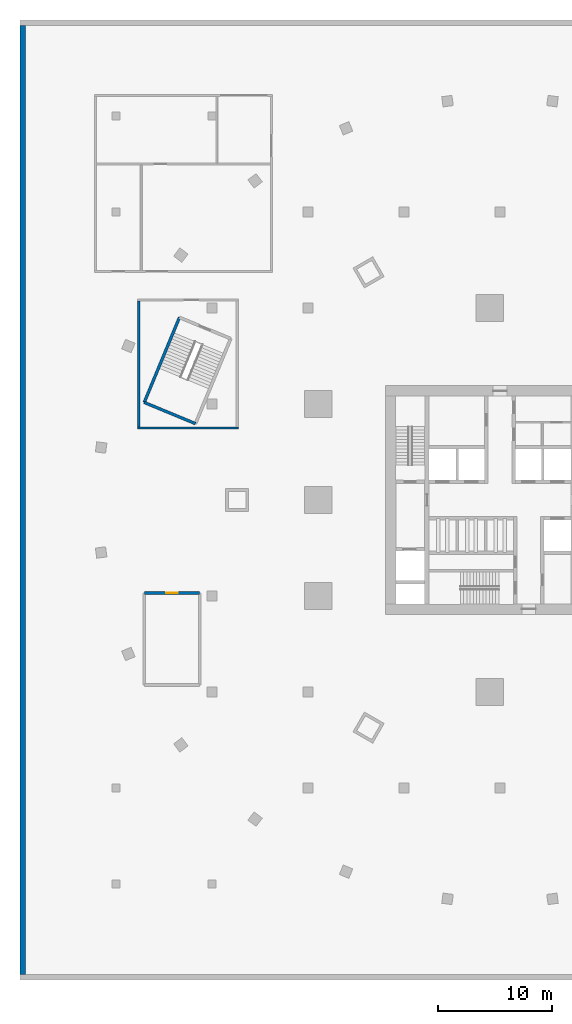
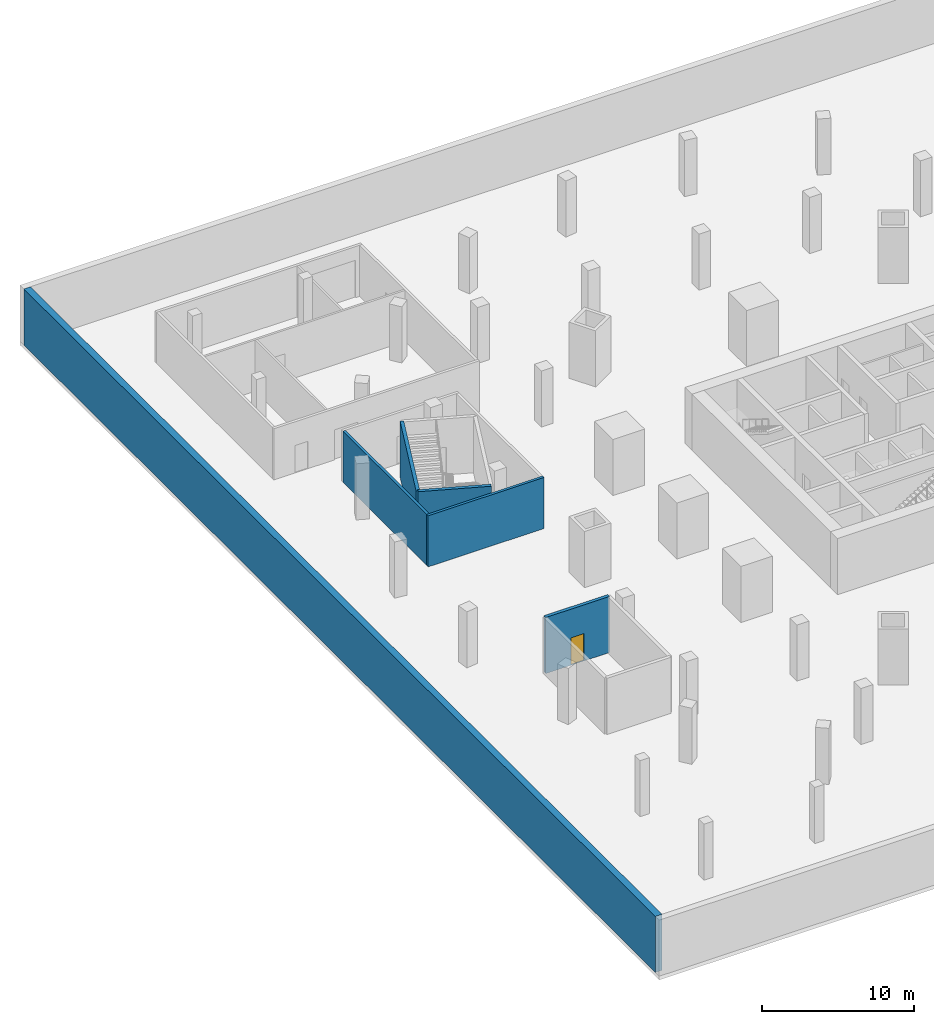
# One storey, part 2 of 9: 6 walls, 1 door, 1 opening.
"""IFC4 building model written with IfcOpenShell, lengths in metres."""

from ifc_helpers import new_model, si_unit, direction, frame, frame_2d, origin, place, context, subcontext, project, spatial, rectangle, extrude, material, layer, layer_set, type_object, element, fill, save


model = new_model("IFC4")

# Units and contexts
model_context = context("Model", 3, precision=1e-05, world=origin(), true_north=direction((0.0, 1.0)))
body_context = subcontext(model_context, "Body", "Model", "MODEL_VIEW")
ifc_project = project(units=[si_unit("LENGTHUNIT", "METRE"), si_unit("AREAUNIT", "SQUARE_METRE"), si_unit("VOLUMEUNIT", "CUBIC_METRE"), si_unit("PLANEANGLEUNIT", "RADIAN"), si_unit("MASSUNIT", "GRAM", prefix="KILO")], contexts=[model_context])

# Site, building, storey
site_placement = place(None, origin())
site = spatial("IfcSite", under=ifc_project, at=site_placement, CompositionType="ELEMENT")
building_placement = place(site_placement, origin())
building = spatial("IfcBuilding", under=site, at=building_placement, Name="Golbaran Civic Tower", CompositionType="ELEMENT")
storey_placement = place(building_placement, frame((0.0, 0.0, -4.5)))
storey = spatial("IfcBuildingStorey", under=building, at=storey_placement, Name="B1", CompositionType="ELEMENT", Elevation=-4.5)

# Walls
ifc_material_1 = material(Name="Concrete C50/60", Category="concrete")
ifc_layer_1 = layer(ifc_material_1, 0.5, Name="Concrete C50/60")
ifc_layer_set_1 = layer_set([ifc_layer_1], Name="Concrete C50/60")
wall_type_1 = type_object("IfcWallType", Name="BASEMENT RETAINING WALL CONCRETE 500", PredefinedType="SOLIDWALL", material=ifc_layer_set_1)
wall_1_placement = place(storey_placement, frame((-41.75, 41.5, 0.0), z_axis=(0.0, 0.0, 1.0), x_axis=(0.0, -1.0, 0.0)))
element("IfcWall", 1, at=wall_1_placement, inside=storey, type_object=wall_type_1, Name="Basement retaining wall W B1", PredefinedType="SOLIDWALL", context=body_context, shape_type="SweptSolid", body=[
    extrude(rectangle(XDim=83.0, YDim=0.5, at=frame_2d((41.5, 0.0))), origin(), (0.0, 0.0, 1.0), 4.5),
])
ifc_layer_2 = layer(ifc_material_1, 0.25, Name="Concrete C50/60")
ifc_layer_set_2 = layer_set([ifc_layer_2], Name="Concrete C50/60")
wall_type_2 = type_object("IfcWallType", Name="STAIR ENCLOSURE WALL CONCRETE 250", PredefinedType="SOLIDWALL", material=ifc_layer_set_2)
wall_2_placement = place(storey_placement, frame((-26.646728515625, 6.680908203125, 0.0), z_axis=(0.0, 0.0, 1.0), x_axis=(-0.923880627248, 0.382680789426, 0.0)))
element("IfcWall", 2, at=wall_2_placement, inside=storey, type_object=wall_type_2, Name="Stair P2 enclosure C B1", PredefinedType="SOLIDWALL", context=body_context, shape_type="SweptSolid", body=[
    extrude(rectangle(XDim=4.849853515625, YDim=0.25, at=frame_2d((2.4248046875, 0.0))), origin(), (0.0, 0.0, 1.0), 4.5),
])
wall_3_placement = place(storey_placement, frame((-31.12744140625, 8.536865234375, 0.0), z_axis=(0.0, 0.0, 1.0), x_axis=(0.382678572144, 0.923881545666, 0.0)))
element("IfcWall", 3, at=wall_3_placement, inside=storey, type_object=wall_type_2, Name="Stair P2 enclosure D B1", PredefinedType="SOLIDWALL", context=body_context, shape_type="SweptSolid", body=[
    extrude(rectangle(XDim=8.050048828125, YDim=0.25, at=frame_2d((4.02490234375, 0.0))), origin(), (0.0, 0.0, 1.0), 4.5),
])

# Wall, opening, door
wall_4_placement = place(storey_placement, frame((-31.125, -8.125, 0.0), z_axis=(0.0, 0.0, 1.0), x_axis=(1.0, 0.0, 0.0)))
wall_4 = element("IfcWall", 4, at=wall_4_placement, inside=storey, type_object=wall_type_2, Name="P3 enclosure A B1", PredefinedType="SOLIDWALL", context=body_context, shape_type="SweptSolid", body=[
    extrude(rectangle(XDim=4.85009765625, YDim=0.25, at=frame_2d((2.425048828125, 0.0))), origin(), (0.0, 0.0, 1.0), 4.5),
])
opening_placement = place(wall_4_placement, frame((1.925048828125, 0.0, 0.0)))
opening = element("IfcOpeningElement", 5, at=opening_placement, cuts=wall_4, Name="Opening B1.08", PredefinedType="OPENING", context=body_context, shape_type="SweptSolid", body=[
    extrude(rectangle(XDim=1.0, YDim=2.199951171875, at=frame_2d((0.5, 1.10009765625))), frame((0.0, 0.135009765625, 0.0), z_axis=(0.0, -1.0, 0.0), x_axis=(1.0, 0.0, 0.0)), (0.0, 0.0, 1.0), 0.27001953125),
])
ifc_material_2 = material(Name="Steel door set, fire-rated", Category="steel")
door_type = type_object("IfcDoorType", Name="BASEMENT ROOM DOOR 1000x2200", OperationType="SINGLE_SWING_LEFT", PredefinedType="DOOR", material=ifc_material_2)
door_placement = place(opening_placement, origin())
door = element("IfcDoor", 6, at=door_placement, inside=storey, type_object=door_type, Name="Water Meter Room door B1", OperationType="SINGLE_SWING_LEFT", OverallHeight=2.199951171875, OverallWidth=1.0, PredefinedType="DOOR", context=body_context, shape_type="SweptSolid", body=[
    extrude(rectangle(XDim=1.0, YDim=2.199951171875, at=frame_2d((0.5, 1.10009765625))), frame((0.0, 0.02490234375, 0.0), z_axis=(0.0, -1.0, 0.0), x_axis=(1.0, 0.0, 0.0)), (0.0, 0.0, 1.0), 0.050048828125),
])
fill(opening, door)

# Walls
ifc_material_3 = material(Name="Reinforced blockwork, fire-rated", Category="masonry")
ifc_layer_3 = layer(ifc_material_3, 0.199951171875, Name="Reinforced blockwork, fire-rated")
ifc_layer_set_3 = layer_set([ifc_layer_3], Name="Reinforced blockwork, fire-rated")
wall_type_3 = type_object("IfcWallType", Name="STAIR LOBBY WALL 200", PredefinedType="PARTITIONING", material=ifc_layer_set_3)
wall_5_placement = place(storey_placement, frame((-31.699951171875, 6.300048828125, 0.0), z_axis=(0.0, 0.0, 1.0), x_axis=(1.0, 0.0, 0.0)))
element("IfcWall", 7, at=wall_5_placement, inside=storey, type_object=wall_type_3, Name="Stair P2 lobby wall B1", PredefinedType="PARTITIONING", context=body_context, shape_type="SweptSolid", body=[
    extrude(rectangle(XDim=8.800048828125, YDim=0.199951171875, at=frame_2d((4.39990234375, 0.0))), origin(), (0.0, 0.0, 1.0), 4.10009765625),
])
wall_6_placement = place(storey_placement, frame((-31.60009765625, 17.39990234375, 0.0), z_axis=(0.0, 0.0, 1.0), x_axis=(0.0, -1.0, 0.0)))
element("IfcWall", 8, at=wall_6_placement, inside=storey, type_object=wall_type_3, Name="Stair P2 lobby wall B1", PredefinedType="PARTITIONING", context=body_context, shape_type="SweptSolid", body=[
    extrude(rectangle(XDim=11.0, YDim=0.199951171875, at=frame_2d((5.5, 0.0))), origin(), (0.0, 0.0, 1.0), 4.10009765625),
])

save(model, "model.ifc")
